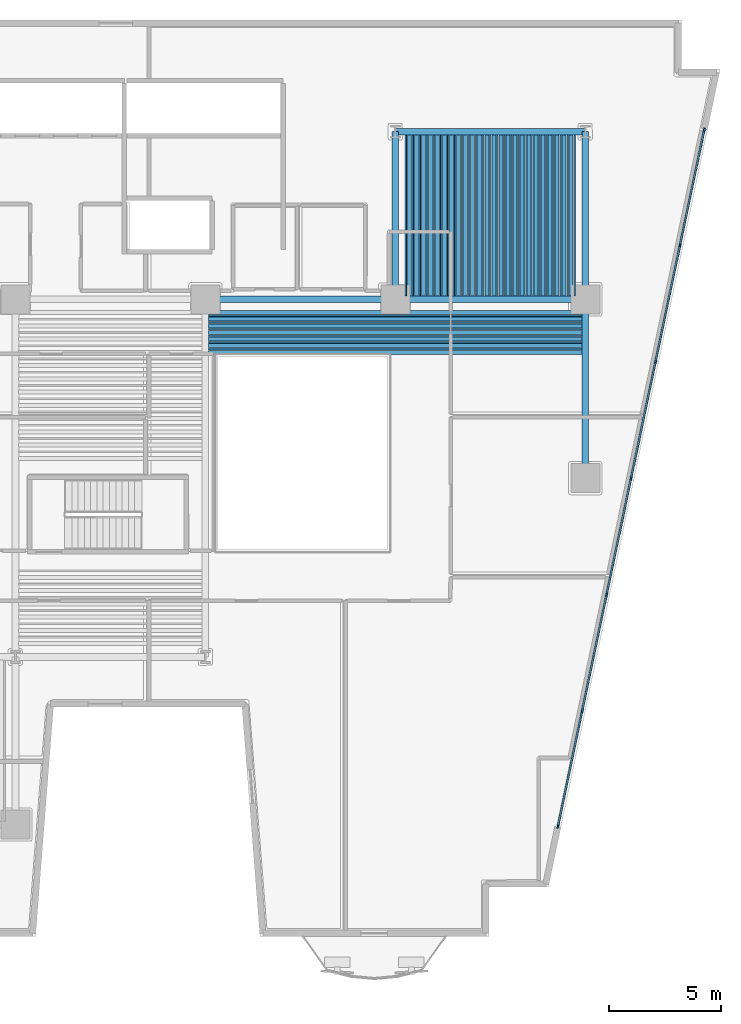
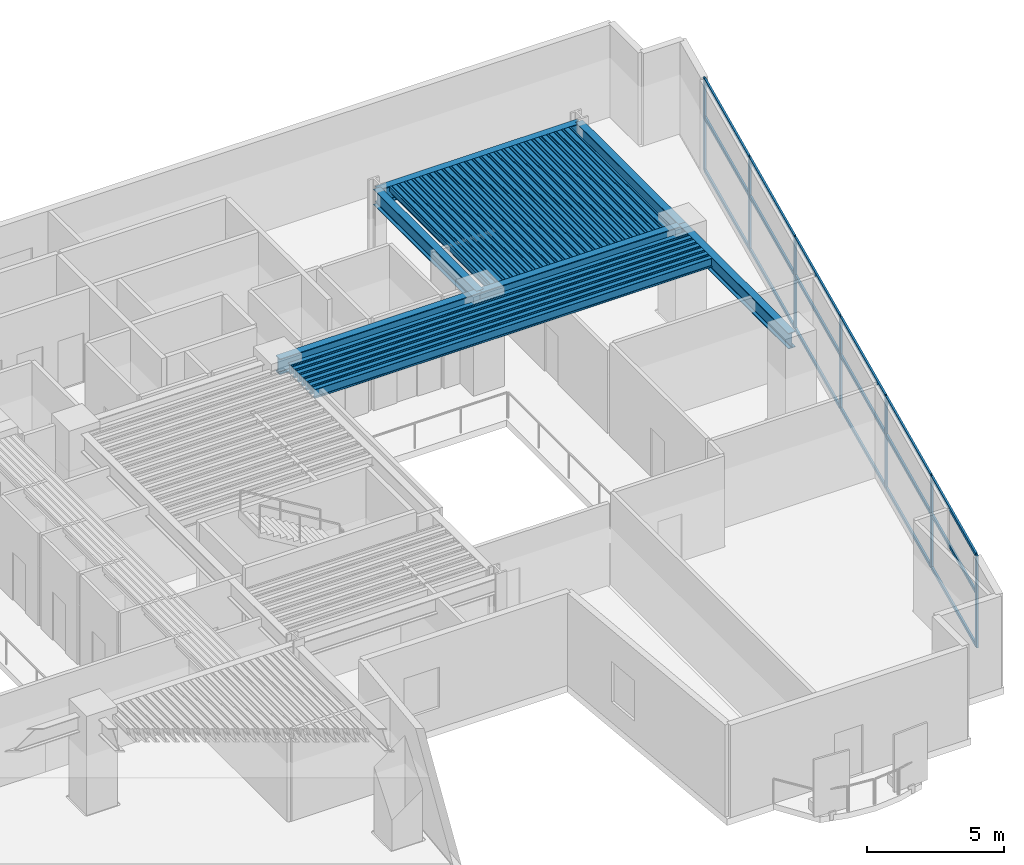
# One storey, part 2 of 12: 68 beams, 25 members, 1 element without a shape of its own.
"""IFC4 building model written with IfcOpenShell, lengths in metres."""

from ifc_helpers import new_model, si_unit, direction, frame, origin, origin_2d, place, context, subcontext, project, spatial, rectangle, hollow_rectangle, i_section, extrude, material, layer, layer_set, material_profile, profile_set, type_object, element, aggregate, save


model = new_model("IFC4")

# Units and contexts
model_context = context("Model", 3, precision=1e-05, world=origin(), true_north=direction((0.0, 1.0)))
body_context = subcontext(model_context, "Body", "Model", "MODEL_VIEW")
ifc_project = project(units=[si_unit("LENGTHUNIT", "METRE"), si_unit("AREAUNIT", "SQUARE_METRE"), si_unit("VOLUMEUNIT", "CUBIC_METRE"), si_unit("PLANEANGLEUNIT", "RADIAN"), si_unit("MASSUNIT", "GRAM", prefix="KILO")], contexts=[model_context])

# Site, building, storey
site_placement = place(None, origin())
site = spatial("IfcSite", under=ifc_project, at=site_placement, CompositionType="ELEMENT")
building_placement = place(site_placement, origin())
building = spatial("IfcBuilding", under=site, at=building_placement, Name="Caeloran Harvest Quay", CompositionType="ELEMENT")
storey_placement = place(building_placement, frame((0.0, 0.0, 57.800048828125)))
storey = spatial("IfcBuildingStorey", under=building, at=storey_placement, Name="L13", CompositionType="ELEMENT", Elevation=57.800048828125)

# Beams
ifc_material_1 = material(Name="Steel S355J2", Category="steel")
ifc_material_profile_1 = material_profile(ifc_material_1, i_section(OverallWidth=0.300048828125, OverallDepth=0.699951171875, WebThickness=0.01708984375, FlangeThickness=0.031982421875, FilletRadius=0.027099609375, at=origin_2d()), Name="HE 700 B")
ifc_profile_set_1 = profile_set([ifc_material_profile_1], Name="Steel S355J2")
beam_type_1 = type_object("IfcBeamType", Name="BM-PG-2-HE_700_B", PredefinedType="BEAM", material=ifc_profile_set_1)
for number, where, z_axis, x_axis, name in (
    (1, (34.0, 31.0, 3.75), (1.0, 0.0, 0.0), (0.0, 1.0, 0.0), "L13 Primary East-West Girder Y=31.0"),
    (2, (42.5, 31.0, 3.75), (1.0, 0.0, 0.0), (0.0, 1.0, 0.0), "L13 Primary East-West Girder Y=31.0"),
    (3, (42.5, 38.5, 3.75), (1.0, 0.0, 0.0), (0.0, 1.0, 0.0), "L13 Primary East-West Girder Y=38.5"),
):
    element("IfcBeam", number, at=place(storey_placement, frame(where, z_axis=z_axis, x_axis=x_axis)), inside=storey, type_object=beam_type_1, Name=name, PredefinedType="BEAM", context=body_context, shape_type="SweptSolid", body=[
        extrude(i_section(OverallWidth=0.300048828125, OverallDepth=0.699951171875, WebThickness=0.01708984375, FlangeThickness=0.031982421875, FilletRadius=0.027099609375, at=origin_2d()), origin(), (0.0, 0.0, 1.0), 8.5),
    ])
beam_1_placement = place(storey_placement, frame((42.5, 31.0, 3.75), z_axis=(0.0, 1.0, 0.0), x_axis=(-1.0, 0.0, 0.0)))
element("IfcBeam", 4, at=beam_1_placement, inside=storey, type_object=beam_type_1, Name="L13 Primary North-South Girder X=42.5", PredefinedType="BEAM", context=body_context, shape_type="SweptSolid", body=[
    extrude(i_section(OverallWidth=0.300048828125, OverallDepth=0.699951171875, WebThickness=0.01708984375, FlangeThickness=0.031982421875, FilletRadius=0.027099609375, at=origin_2d()), origin(), (0.0, 0.0, 1.0), 7.5),
])
beam_2_placement = place(storey_placement, frame((51.0, 23.0, 3.75), z_axis=(0.0, 1.0, 0.0), x_axis=(-1.0, 0.0, 0.0)))
element("IfcBeam", 5, at=beam_2_placement, inside=storey, type_object=beam_type_1, Name="L13 Primary North-South Girder X=51.0", PredefinedType="BEAM", context=body_context, shape_type="SweptSolid", body=[
    extrude(i_section(OverallWidth=0.300048828125, OverallDepth=0.699951171875, WebThickness=0.01708984375, FlangeThickness=0.031982421875, FilletRadius=0.027099609375, at=origin_2d()), origin(), (0.0, 0.0, 1.0), 8.0),
])
beam_3_placement = place(storey_placement, frame((51.0, 31.0, 3.75), z_axis=(0.0, 1.0, 0.0), x_axis=(-1.0, 0.0, 0.0)))
element("IfcBeam", 6, at=beam_3_placement, inside=storey, type_object=beam_type_1, Name="L13 Primary North-South Girder X=51.0", PredefinedType="BEAM", context=body_context, shape_type="SweptSolid", body=[
    extrude(i_section(OverallWidth=0.300048828125, OverallDepth=0.699951171875, WebThickness=0.01708984375, FlangeThickness=0.031982421875, FilletRadius=0.027099609375, at=origin_2d()), origin(), (0.0, 0.0, 1.0), 7.5),
])
ifc_material_profile_2 = material_profile(ifc_material_1, i_section(OverallWidth=0.179931640625, OverallDepth=0.39990234375, WebThickness=0.008544921875, FlangeThickness=0.013427734375, FilletRadius=0.02099609375, at=origin_2d()), Name="IPE 400")
ifc_profile_set_2 = profile_set([ifc_material_profile_2], Name="Steel S355J2")
beam_type_2 = type_object("IfcBeamType", Name="BM-SB-4-IPE_400", PredefinedType="JOIST", material=ifc_profile_set_2)
for number, where, z_axis, x_axis, name in (
    (7, (43.129638671875, 31.14501953125, 3.89990234375), (0.0, 1.0, 0.0), (-1.0, 0.0, 0.0), "L13 Secondary Composite Joist"),
    (8, (43.4443359375, 31.14501953125, 3.89990234375), (0.0, 1.0, 0.0), (-1.0, 0.0, 0.0), "L13 Secondary Composite Joist"),
    (9, (43.75927734375, 31.14501953125, 3.89990234375), (0.0, 1.0, 0.0), (-1.0, 0.0, 0.0), "L13 Secondary Composite Joist"),
    (10, (44.07421875, 31.14501953125, 3.89990234375), (0.0, 1.0, 0.0), (-1.0, 0.0, 0.0), "L13 Secondary Composite Joist"),
    (11, (44.388916015625, 31.14501953125, 3.89990234375), (0.0, 1.0, 0.0), (-1.0, 0.0, 0.0), "L13 Secondary Composite Joist"),
    (12, (44.70361328125, 31.14501953125, 3.89990234375), (0.0, 1.0, 0.0), (-1.0, 0.0, 0.0), "L13 Secondary Composite Joist"),
    (13, (45.0185546875, 31.14501953125, 3.89990234375), (0.0, 1.0, 0.0), (-1.0, 0.0, 0.0), "L13 Secondary Composite Joist"),
    (14, (45.333251953125, 31.14501953125, 3.89990234375), (0.0, 1.0, 0.0), (-1.0, 0.0, 0.0), "L13 Secondary Composite Joist"),
    (15, (45.648193359375, 31.14501953125, 3.89990234375), (0.0, 1.0, 0.0), (-1.0, 0.0, 0.0), "L13 Secondary Composite Joist"),
    (16, (45.962890625, 31.14501953125, 3.89990234375), (0.0, 1.0, 0.0), (-1.0, 0.0, 0.0), "L13 Secondary Composite Joist"),
    (17, (46.27783203125, 31.14501953125, 3.89990234375), (0.0, 1.0, 0.0), (-1.0, 0.0, 0.0), "L13 Secondary Composite Joist"),
    (18, (46.592529296875, 31.14501953125, 3.89990234375), (0.0, 1.0, 0.0), (-1.0, 0.0, 0.0), "L13 Secondary Composite Joist"),
    (19, (46.907470703125, 31.14501953125, 3.89990234375), (0.0, 1.0, 0.0), (-1.0, 0.0, 0.0), "L13 Secondary Composite Joist"),
    (20, (47.22216796875, 31.14501953125, 3.89990234375), (0.0, 1.0, 0.0), (-1.0, 0.0, 0.0), "L13 Secondary Composite Joist"),
    (21, (47.537109375, 31.14501953125, 3.89990234375), (0.0, 1.0, 0.0), (-1.0, 0.0, 0.0), "L13 Secondary Composite Joist"),
    (22, (47.851806640625, 31.14501953125, 3.89990234375), (0.0, 1.0, 0.0), (-1.0, 0.0, 0.0), "L13 Secondary Composite Joist"),
    (23, (48.166748046875, 31.14501953125, 3.89990234375), (0.0, 1.0, 0.0), (-1.0, 0.0, 0.0), "L13 Secondary Composite Joist"),
    (24, (48.4814453125, 31.14501953125, 3.89990234375), (0.0, 1.0, 0.0), (-1.0, 0.0, 0.0), "L13 Secondary Composite Joist"),
    (25, (48.79638671875, 31.14501953125, 3.89990234375), (0.0, 1.0, 0.0), (-1.0, 0.0, 0.0), "L13 Secondary Composite Joist"),
    (26, (49.111083984375, 31.14501953125, 3.89990234375), (0.0, 1.0, 0.0), (-1.0, 0.0, 0.0), "L13 Secondary Composite Joist"),
    (27, (49.42578125, 31.14501953125, 3.89990234375), (0.0, 1.0, 0.0), (-1.0, 0.0, 0.0), "L13 Secondary Composite Joist"),
    (28, (49.74072265625, 31.14501953125, 3.89990234375), (0.0, 1.0, 0.0), (-1.0, 0.0, 0.0), "L13 Secondary Composite Joist"),
    (29, (50.0556640625, 31.14501953125, 3.89990234375), (0.0, 1.0, 0.0), (-1.0, 0.0, 0.0), "L13 Secondary Composite Joist"),
    (30, (50.370361328125, 31.14501953125, 3.89990234375), (0.0, 1.0, 0.0), (-1.0, 0.0, 0.0), "L13 Secondary Composite Joist"),
):
    element("IfcBeam", number, at=place(storey_placement, frame(where, z_axis=z_axis, x_axis=x_axis)), inside=storey, type_object=beam_type_2, Name=name, PredefinedType="JOIST", context=body_context, shape_type="SweptSolid", body=[
        extrude(i_section(OverallWidth=0.179931640625, OverallDepth=0.39990234375, WebThickness=0.008544921875, FlangeThickness=0.013427734375, FilletRadius=0.02099609375, at=origin_2d()), origin(), (0.0, 0.0, 1.0), 7.2099609375),
    ])
for number, where, z_axis, x_axis, name in (
    (31, (34.14501953125, 28.629638671875, 3.89990234375), (1.0, 0.0, 0.0), (0.0, 1.0, 0.0), "L13 Secondary East-West Composite Joist"),
    (32, (34.14501953125, 28.92578125, 3.89990234375), (1.0, 0.0, 0.0), (0.0, 1.0, 0.0), "L13 Secondary East-West Composite Joist"),
    (33, (34.14501953125, 29.22216796875, 3.89990234375), (1.0, 0.0, 0.0), (0.0, 1.0, 0.0), "L13 Secondary East-West Composite Joist"),
    (34, (34.14501953125, 29.5185546875, 3.89990234375), (1.0, 0.0, 0.0), (0.0, 1.0, 0.0), "L13 Secondary East-West Composite Joist"),
    (35, (34.14501953125, 29.814697265625, 3.89990234375), (1.0, 0.0, 0.0), (0.0, 1.0, 0.0), "L13 Secondary East-West Composite Joist"),
    (36, (34.14501953125, 30.111083984375, 3.89990234375), (1.0, 0.0, 0.0), (0.0, 1.0, 0.0), "L13 Secondary East-West Composite Joist"),
    (37, (34.14501953125, 30.407470703125, 3.89990234375), (1.0, 0.0, 0.0), (0.0, 1.0, 0.0), "L13 Secondary East-West Composite Joist"),
):
    element("IfcBeam", number, at=place(storey_placement, frame(where, z_axis=z_axis, x_axis=x_axis)), inside=storey, type_object=beam_type_2, Name=name, PredefinedType="JOIST", context=body_context, shape_type="SweptSolid", body=[
        extrude(i_section(OverallWidth=0.179931640625, OverallDepth=0.39990234375, WebThickness=0.008544921875, FlangeThickness=0.013427734375, FilletRadius=0.02099609375, at=origin_2d()), origin(), (0.0, 0.0, 1.0), 16.7099609375),
    ])
ifc_material_profile_3 = material_profile(ifc_material_1, hollow_rectangle(XDim=0.080078125, YDim=0.199951171875, WallThickness=0.006103515625, InnerFilletRadius=0.006103515625, OuterFilletRadius=0.009033203125, at=origin_2d()), Name="RHS 200x80x6")
ifc_profile_set_3 = profile_set([ifc_material_profile_3], Name="Steel S355J2")
beam_type_3 = type_object("IfcBeamType", Name="BM-SB-7-RHS_200x80x6", PredefinedType="JOIST", material=ifc_profile_set_3)
for number, where, z_axis, x_axis, name in (
    (38, (42.97216796875, 31.14501953125, 4.0), (0.0, 1.0, 0.0), (-1.0, 0.0, 0.0), "L13 Secondary Composite Joist"),
    (39, (43.287109375, 31.14501953125, 4.0), (0.0, 1.0, 0.0), (-1.0, 0.0, 0.0), "L13 Secondary Composite Joist"),
    (40, (43.601806640625, 31.14501953125, 4.0), (0.0, 1.0, 0.0), (-1.0, 0.0, 0.0), "L13 Secondary Composite Joist"),
    (41, (43.916748046875, 31.14501953125, 4.0), (0.0, 1.0, 0.0), (-1.0, 0.0, 0.0), "L13 Secondary Composite Joist"),
    (42, (44.2314453125, 31.14501953125, 4.0), (0.0, 1.0, 0.0), (-1.0, 0.0, 0.0), "L13 Secondary Composite Joist"),
    (43, (44.54638671875, 31.14501953125, 4.0), (0.0, 1.0, 0.0), (-1.0, 0.0, 0.0), "L13 Secondary Composite Joist"),
    (44, (44.861083984375, 31.14501953125, 4.0), (0.0, 1.0, 0.0), (-1.0, 0.0, 0.0), "L13 Secondary Composite Joist"),
    (45, (45.17578125, 31.14501953125, 4.0), (0.0, 1.0, 0.0), (-1.0, 0.0, 0.0), "L13 Secondary Composite Joist"),
    (46, (45.49072265625, 31.14501953125, 4.0), (0.0, 1.0, 0.0), (-1.0, 0.0, 0.0), "L13 Secondary Composite Joist"),
    (47, (45.8056640625, 31.14501953125, 4.0), (0.0, 1.0, 0.0), (-1.0, 0.0, 0.0), "L13 Secondary Composite Joist"),
    (48, (46.120361328125, 31.14501953125, 4.0), (0.0, 1.0, 0.0), (-1.0, 0.0, 0.0), "L13 Secondary Composite Joist"),
    (49, (46.435302734375, 31.14501953125, 4.0), (0.0, 1.0, 0.0), (-1.0, 0.0, 0.0), "L13 Secondary Composite Joist"),
    (50, (46.75, 31.14501953125, 4.0), (0.0, 1.0, 0.0), (-1.0, 0.0, 0.0), "L13 Secondary Composite Joist"),
    (51, (47.064697265625, 31.14501953125, 4.0), (0.0, 1.0, 0.0), (-1.0, 0.0, 0.0), "L13 Secondary Composite Joist"),
    (52, (47.379638671875, 31.14501953125, 4.0), (0.0, 1.0, 0.0), (-1.0, 0.0, 0.0), "L13 Secondary Composite Joist"),
    (53, (47.6943359375, 31.14501953125, 4.0), (0.0, 1.0, 0.0), (-1.0, 0.0, 0.0), "L13 Secondary Composite Joist"),
    (54, (48.00927734375, 31.14501953125, 4.0), (0.0, 1.0, 0.0), (-1.0, 0.0, 0.0), "L13 Secondary Composite Joist"),
    (55, (48.32421875, 31.14501953125, 4.0), (0.0, 1.0, 0.0), (-1.0, 0.0, 0.0), "L13 Secondary Composite Joist"),
    (56, (48.638916015625, 31.14501953125, 4.0), (0.0, 1.0, 0.0), (-1.0, 0.0, 0.0), "L13 Secondary Composite Joist"),
    (57, (48.95361328125, 31.14501953125, 4.0), (0.0, 1.0, 0.0), (-1.0, 0.0, 0.0), "L13 Secondary Composite Joist"),
    (58, (49.2685546875, 31.14501953125, 4.0), (0.0, 1.0, 0.0), (-1.0, 0.0, 0.0), "L13 Secondary Composite Joist"),
    (59, (49.583251953125, 31.14501953125, 4.0), (0.0, 1.0, 0.0), (-1.0, 0.0, 0.0), "L13 Secondary Composite Joist"),
    (60, (49.898193359375, 31.14501953125, 4.0), (0.0, 1.0, 0.0), (-1.0, 0.0, 0.0), "L13 Secondary Composite Joist"),
    (61, (50.212890625, 31.14501953125, 4.0), (0.0, 1.0, 0.0), (-1.0, 0.0, 0.0), "L13 Secondary Composite Joist"),
    (62, (50.52783203125, 31.14501953125, 4.0), (0.0, 1.0, 0.0), (-1.0, 0.0, 0.0), "L13 Secondary Composite Joist"),
):
    element("IfcBeam", number, at=place(storey_placement, frame(where, z_axis=z_axis, x_axis=x_axis)), inside=storey, type_object=beam_type_3, Name=name, PredefinedType="JOIST", context=body_context, shape_type="SweptSolid", body=[
        extrude(hollow_rectangle(XDim=0.080078125, YDim=0.199951171875, WallThickness=0.006103515625, InnerFilletRadius=0.006103515625, OuterFilletRadius=0.009033203125, at=origin_2d()), origin(), (0.0, 0.0, 1.0), 7.2099609375),
    ])
for number, where, z_axis, x_axis, name in (
    (63, (34.14501953125, 28.77783203125, 4.0), (1.0, 0.0, 0.0), (0.0, 1.0, 0.0), "L13 Secondary East-West Composite Joist"),
    (64, (34.14501953125, 29.07421875, 4.0), (1.0, 0.0, 0.0), (0.0, 1.0, 0.0), "L13 Secondary East-West Composite Joist"),
    (65, (34.14501953125, 29.370361328125, 4.0), (1.0, 0.0, 0.0), (0.0, 1.0, 0.0), "L13 Secondary East-West Composite Joist"),
    (66, (34.14501953125, 29.666748046875, 4.0), (1.0, 0.0, 0.0), (0.0, 1.0, 0.0), "L13 Secondary East-West Composite Joist"),
    (67, (34.14501953125, 29.962890625, 4.0), (1.0, 0.0, 0.0), (0.0, 1.0, 0.0), "L13 Secondary East-West Composite Joist"),
    (68, (34.14501953125, 30.25927734375, 4.0), (1.0, 0.0, 0.0), (0.0, 1.0, 0.0), "L13 Secondary East-West Composite Joist"),
):
    element("IfcBeam", number, at=place(storey_placement, frame(where, z_axis=z_axis, x_axis=x_axis)), inside=storey, type_object=beam_type_3, Name=name, PredefinedType="JOIST", context=body_context, shape_type="SweptSolid", body=[
        extrude(hollow_rectangle(XDim=0.080078125, YDim=0.199951171875, WallThickness=0.006103515625, InnerFilletRadius=0.006103515625, OuterFilletRadius=0.009033203125, at=origin_2d()), origin(), (0.0, 0.0, 1.0), 16.7099609375),
    ])

# Curtain wall, members
ifc_material_2 = material(Name="Aluminium 6063-T6 and Low-E Glazing", Category="aluminium")
ifc_layer = layer(ifc_material_2, 0.199951171875, Name="Aluminium 6063-T6 and Low-E Glazing")
ifc_layer_set = layer_set([ifc_layer], Name="Aluminium 6063-T6 and Low-E Glazing")
curtain_wall_type = type_object("IfcCurtainWallType", Name="CW-SYS-CW-2", PredefinedType="USERDEFINED", material=ifc_layer_set)
curtain_wall_placement = place(storey_placement, origin())
curtain_wall = element("IfcCurtainWall", 69, at=curtain_wall_placement, inside=storey, type_object=curtain_wall_type, Name="L13 Unitised Curtain Wall CW-2 Run 9", ObjectType="CURTAIN_WALL", PredefinedType="USERDEFINED")
ifc_material_3 = material(Name="Aluminium 6063-T6", Category="aluminium")
ifc_material_profile_4 = material_profile(ifc_material_3, rectangle(XDim=0.080078125, YDim=0.179931640625, at=origin_2d()), Name="CW-MULLION-180")
ifc_profile_set_4 = profile_set([ifc_material_profile_4], Name="Aluminium 6063-T6")
member_type_1 = type_object("IfcMemberType", Name="CW-MULLION-180", PredefinedType="MULLION", material=ifc_profile_set_4)
member_1_placement = place(storey_placement, frame((56.322509765625, 38.576416015625, 0.0), z_axis=(0.0, 0.0, 1.0), x_axis=(0.978639691881, -0.205582960081, 0.0)))
member_1 = element("IfcMember", 70, at=member_1_placement, type_object=member_type_1, Name="CW-2 mullion 1", PredefinedType="MULLION", context=body_context, shape_type="SweptSolid", body=[
    extrude(rectangle(XDim=0.080078125, YDim=0.179931640625, at=origin_2d()), origin(), (0.0, 0.0, 1.0), 4.099853515625),
])
member_2_placement = place(storey_placement, frame((55.2373046875, 33.410400390625, 0.0), z_axis=(0.0, 0.0, 1.0), x_axis=(0.978639691881, -0.205582960081, 0.0)))
member_2 = element("IfcMember", 71, at=member_2_placement, type_object=member_type_1, Name="CW-2 mullion 2", PredefinedType="MULLION", context=body_context, shape_type="SweptSolid", body=[
    extrude(rectangle(XDim=0.080078125, YDim=0.179931640625, at=origin_2d()), origin(), (0.0, 0.0, 1.0), 4.099853515625),
])
member_3_placement = place(storey_placement, frame((54.143798828125, 28.205078125, 0.0), z_axis=(0.0, 0.0, 1.0), x_axis=(0.978639691881, -0.205582960081, 0.0)))
member_3 = element("IfcMember", 72, at=member_3_placement, type_object=member_type_1, Name="CW-2 mullion 3", PredefinedType="MULLION", context=body_context, shape_type="SweptSolid", body=[
    extrude(rectangle(XDim=0.080078125, YDim=0.179931640625, at=origin_2d()), origin(), (0.0, 0.0, 1.0), 4.099853515625),
])
member_4_placement = place(storey_placement, frame((53.050537109375, 23.0, 0.0), z_axis=(0.0, 0.0, 1.0), x_axis=(0.978639691881, -0.205582960081, 0.0)))
member_4 = element("IfcMember", 73, at=member_4_placement, type_object=member_type_1, Name="CW-2 mullion 4", PredefinedType="MULLION", context=body_context, shape_type="SweptSolid", body=[
    extrude(rectangle(XDim=0.080078125, YDim=0.179931640625, at=origin_2d()), origin(), (0.0, 0.0, 1.0), 4.099853515625),
])
member_5_placement = place(storey_placement, frame((51.95703125, 17.794921875, 0.0), z_axis=(0.0, 0.0, 1.0), x_axis=(0.978639691881, -0.205582960081, 0.0)))
member_5 = element("IfcMember", 74, at=member_5_placement, type_object=member_type_1, Name="CW-2 mullion 5", PredefinedType="MULLION", context=body_context, shape_type="SweptSolid", body=[
    extrude(rectangle(XDim=0.080078125, YDim=0.179931640625, at=origin_2d()), origin(), (0.0, 0.0, 1.0), 4.099853515625),
])
member_6_placement = place(storey_placement, frame((50.863525390625, 12.589599609375, 0.0), z_axis=(0.0, 0.0, 1.0), x_axis=(0.978639691881, -0.205582960081, 0.0)))
member_6 = element("IfcMember", 75, at=member_6_placement, type_object=member_type_1, Name="CW-2 mullion 6", PredefinedType="MULLION", context=body_context, shape_type="SweptSolid", body=[
    extrude(rectangle(XDim=0.080078125, YDim=0.179931640625, at=origin_2d()), origin(), (0.0, 0.0, 1.0), 4.099853515625),
])
member_7_placement = place(storey_placement, frame((49.7783203125, 7.423583984375, 0.0), z_axis=(0.0, 0.0, 1.0), x_axis=(0.978639691881, -0.205582960081, 0.0)))
member_7 = element("IfcMember", 76, at=member_7_placement, type_object=member_type_1, Name="CW-2 mullion 7", PredefinedType="MULLION", context=body_context, shape_type="SweptSolid", body=[
    extrude(rectangle(XDim=0.080078125, YDim=0.179931640625, at=origin_2d()), origin(), (0.0, 0.0, 1.0), 4.099853515625),
])
ifc_material_profile_5 = material_profile(ifc_material_3, rectangle(XDim=0.080078125, YDim=0.14990234375, at=origin_2d()), Name="CW-TRANSOM-150")
ifc_profile_set_5 = profile_set([ifc_material_profile_5], Name="Aluminium 6063-T6")
member_type_2 = type_object("IfcMemberType", Name="CW-TRANSOM-150", PredefinedType="USERDEFINED", material=ifc_profile_set_5)
member_8_placement = place(storey_placement, frame((56.314453125, 38.537109375, 0.0400390625), z_axis=(-0.205598644178, -0.978636396989, 0.0), x_axis=(0.978636396989, -0.205598644178, 0.0)))
member_8 = element("IfcMember", 77, at=member_8_placement, type_object=member_type_2, Name="CW-2 transom 1.1", ObjectType="TRANSOM", PredefinedType="USERDEFINED", context=body_context, shape_type="SweptSolid", body=[
    extrude(rectangle(XDim=0.080078125, YDim=0.14990234375, at=origin_2d()), origin(), (0.0, 0.0, 1.0), 5.19873046875),
])
member_9_placement = place(storey_placement, frame((56.314453125, 38.537109375, 2.39990234375), z_axis=(-0.205598644178, -0.978636396989, 0.0), x_axis=(0.978636396989, -0.205598644178, 0.0)))
member_9 = element("IfcMember", 78, at=member_9_placement, type_object=member_type_2, Name="CW-2 transom 1.2", ObjectType="TRANSOM", PredefinedType="USERDEFINED", context=body_context, shape_type="SweptSolid", body=[
    extrude(rectangle(XDim=0.080078125, YDim=0.14990234375, at=origin_2d()), origin(), (0.0, 0.0, 1.0), 5.19873046875),
])
member_10_placement = place(storey_placement, frame((56.314453125, 38.537109375, 4.06005859375), z_axis=(-0.205598644178, -0.978636396989, 0.0), x_axis=(0.978636396989, -0.205598644178, 0.0)))
member_10 = element("IfcMember", 79, at=member_10_placement, type_object=member_type_2, Name="CW-2 transom 1.3", ObjectType="TRANSOM", PredefinedType="USERDEFINED", context=body_context, shape_type="SweptSolid", body=[
    extrude(rectangle(XDim=0.080078125, YDim=0.14990234375, at=origin_2d()), origin(), (0.0, 0.0, 1.0), 5.19873046875),
])
member_11_placement = place(storey_placement, frame((55.229248046875, 33.37109375, 0.0400390625), z_axis=(-0.205615877389, -0.97863277636, 0.0), x_axis=(0.97863277636, -0.205615877389, 0.0)))
member_11 = element("IfcMember", 80, at=member_11_placement, type_object=member_type_2, Name="CW-2 transom 2.1", ObjectType="TRANSOM", PredefinedType="USERDEFINED", context=body_context, shape_type="SweptSolid", body=[
    extrude(rectangle(XDim=0.080078125, YDim=0.14990234375, at=origin_2d()), origin(), (0.0, 0.0, 1.0), 5.238525390625),
])
member_12_placement = place(storey_placement, frame((55.229248046875, 33.37109375, 2.39990234375), z_axis=(-0.205615877389, -0.97863277636, 0.0), x_axis=(0.97863277636, -0.205615877389, 0.0)))
member_12 = element("IfcMember", 81, at=member_12_placement, type_object=member_type_2, Name="CW-2 transom 2.2", ObjectType="TRANSOM", PredefinedType="USERDEFINED", context=body_context, shape_type="SweptSolid", body=[
    extrude(rectangle(XDim=0.080078125, YDim=0.14990234375, at=origin_2d()), origin(), (0.0, 0.0, 1.0), 5.238525390625),
])
member_13_placement = place(storey_placement, frame((55.229248046875, 33.37109375, 4.06005859375), z_axis=(-0.205615877389, -0.97863277636, 0.0), x_axis=(0.97863277636, -0.205615877389, 0.0)))
member_13 = element("IfcMember", 82, at=member_13_placement, type_object=member_type_2, Name="CW-2 transom 2.3", ObjectType="TRANSOM", PredefinedType="USERDEFINED", context=body_context, shape_type="SweptSolid", body=[
    extrude(rectangle(XDim=0.080078125, YDim=0.14990234375, at=origin_2d()), origin(), (0.0, 0.0, 1.0), 5.238525390625),
])
member_14_placement = place(storey_placement, frame((54.1357421875, 28.166015625, 0.0400390625), z_axis=(-0.205606500081, -0.978634746534, 0.0), x_axis=(0.978634746534, -0.205606500081, 0.0)))
member_14 = element("IfcMember", 83, at=member_14_placement, type_object=member_type_2, Name="CW-2 transom 3.1", ObjectType="TRANSOM", PredefinedType="USERDEFINED", context=body_context, shape_type="SweptSolid", body=[
    extrude(rectangle(XDim=0.080078125, YDim=0.14990234375, at=origin_2d()), origin(), (0.0, 0.0, 1.0), 5.23876953125),
])
member_15_placement = place(storey_placement, frame((54.1357421875, 28.166015625, 2.39990234375), z_axis=(-0.205606500081, -0.978634746534, 0.0), x_axis=(0.978634746534, -0.205606500081, 0.0)))
member_15 = element("IfcMember", 84, at=member_15_placement, type_object=member_type_2, Name="CW-2 transom 3.2", ObjectType="TRANSOM", PredefinedType="USERDEFINED", context=body_context, shape_type="SweptSolid", body=[
    extrude(rectangle(XDim=0.080078125, YDim=0.14990234375, at=origin_2d()), origin(), (0.0, 0.0, 1.0), 5.23876953125),
])
member_16_placement = place(storey_placement, frame((54.1357421875, 28.166015625, 4.06005859375), z_axis=(-0.205606500081, -0.978634746534, 0.0), x_axis=(0.978634746534, -0.205606500081, 0.0)))
member_16 = element("IfcMember", 85, at=member_16_placement, type_object=member_type_2, Name="CW-2 transom 3.3", ObjectType="TRANSOM", PredefinedType="USERDEFINED", context=body_context, shape_type="SweptSolid", body=[
    extrude(rectangle(XDim=0.080078125, YDim=0.14990234375, at=origin_2d()), origin(), (0.0, 0.0, 1.0), 5.23876953125),
])
member_17_placement = place(storey_placement, frame((53.042236328125, 22.9609375, 0.0400390625), z_axis=(-0.205561867825, -0.978644122496, 0.0), x_axis=(0.978644122496, -0.205561867825, 0.0)))
member_17 = element("IfcMember", 86, at=member_17_placement, type_object=member_type_2, Name="CW-2 transom 4.1", ObjectType="TRANSOM", PredefinedType="USERDEFINED", context=body_context, shape_type="SweptSolid", body=[
    extrude(rectangle(XDim=0.080078125, YDim=0.14990234375, at=origin_2d()), origin(), (0.0, 0.0, 1.0), 5.23876953125),
])
member_18_placement = place(storey_placement, frame((53.042236328125, 22.9609375, 2.39990234375), z_axis=(-0.205561867825, -0.978644122496, 0.0), x_axis=(0.978644122496, -0.205561867825, 0.0)))
member_18 = element("IfcMember", 87, at=member_18_placement, type_object=member_type_2, Name="CW-2 transom 4.2", ObjectType="TRANSOM", PredefinedType="USERDEFINED", context=body_context, shape_type="SweptSolid", body=[
    extrude(rectangle(XDim=0.080078125, YDim=0.14990234375, at=origin_2d()), origin(), (0.0, 0.0, 1.0), 5.23876953125),
])
member_19_placement = place(storey_placement, frame((53.042236328125, 22.9609375, 4.06005859375), z_axis=(-0.205561867825, -0.978644122496, 0.0), x_axis=(0.978644122496, -0.205561867825, 0.0)))
member_19 = element("IfcMember", 88, at=member_19_placement, type_object=member_type_2, Name="CW-2 transom 4.3", ObjectType="TRANSOM", PredefinedType="USERDEFINED", context=body_context, shape_type="SweptSolid", body=[
    extrude(rectangle(XDim=0.080078125, YDim=0.14990234375, at=origin_2d()), origin(), (0.0, 0.0, 1.0), 5.23876953125),
])
member_20_placement = place(storey_placement, frame((51.94873046875, 17.755615234375, 0.0400390625), z_axis=(-0.205571243277, -0.978642153158, 0.0), x_axis=(0.978642153158, -0.205571243277, 0.0)))
member_20 = element("IfcMember", 89, at=member_20_placement, type_object=member_type_2, Name="CW-2 transom 5.1", ObjectType="TRANSOM", PredefinedType="USERDEFINED", context=body_context, shape_type="SweptSolid", body=[
    extrude(rectangle(XDim=0.080078125, YDim=0.14990234375, at=origin_2d()), origin(), (0.0, 0.0, 1.0), 5.238525390625),
])
member_21_placement = place(storey_placement, frame((51.94873046875, 17.755615234375, 2.39990234375), z_axis=(-0.205571243277, -0.978642153158, 0.0), x_axis=(0.978642153158, -0.205571243277, 0.0)))
member_21 = element("IfcMember", 90, at=member_21_placement, type_object=member_type_2, Name="CW-2 transom 5.2", ObjectType="TRANSOM", PredefinedType="USERDEFINED", context=body_context, shape_type="SweptSolid", body=[
    extrude(rectangle(XDim=0.080078125, YDim=0.14990234375, at=origin_2d()), origin(), (0.0, 0.0, 1.0), 5.238525390625),
])
member_22_placement = place(storey_placement, frame((51.94873046875, 17.755615234375, 4.06005859375), z_axis=(-0.205571243277, -0.978642153158, 0.0), x_axis=(0.978642153158, -0.205571243277, 0.0)))
member_22 = element("IfcMember", 91, at=member_22_placement, type_object=member_type_2, Name="CW-2 transom 5.3", ObjectType="TRANSOM", PredefinedType="USERDEFINED", context=body_context, shape_type="SweptSolid", body=[
    extrude(rectangle(XDim=0.080078125, YDim=0.14990234375, at=origin_2d()), origin(), (0.0, 0.0, 1.0), 5.238525390625),
])
member_23_placement = place(storey_placement, frame((50.855224609375, 12.550537109375, 0.0400390625), z_axis=(-0.205553666865, -0.978645845052, 0.0), x_axis=(0.978645845052, -0.205553666865, 0.0)))
member_23 = element("IfcMember", 92, at=member_23_placement, type_object=member_type_2, Name="CW-2 transom 6.1", ObjectType="TRANSOM", PredefinedType="USERDEFINED", context=body_context, shape_type="SweptSolid", body=[
    extrude(rectangle(XDim=0.080078125, YDim=0.14990234375, at=origin_2d()), origin(), (0.0, 0.0, 1.0), 5.19873046875),
])
member_24_placement = place(storey_placement, frame((50.855224609375, 12.550537109375, 2.39990234375), z_axis=(-0.205553666865, -0.978645845052, 0.0), x_axis=(0.978645845052, -0.205553666865, 0.0)))
member_24 = element("IfcMember", 93, at=member_24_placement, type_object=member_type_2, Name="CW-2 transom 6.2", ObjectType="TRANSOM", PredefinedType="USERDEFINED", context=body_context, shape_type="SweptSolid", body=[
    extrude(rectangle(XDim=0.080078125, YDim=0.14990234375, at=origin_2d()), origin(), (0.0, 0.0, 1.0), 5.19873046875),
])
member_25_placement = place(storey_placement, frame((50.855224609375, 12.550537109375, 4.06005859375), z_axis=(-0.205553666865, -0.978645845052, 0.0), x_axis=(0.978645845052, -0.205553666865, 0.0)))
member_25 = element("IfcMember", 94, at=member_25_placement, type_object=member_type_2, Name="CW-2 transom 6.3", ObjectType="TRANSOM", PredefinedType="USERDEFINED", context=body_context, shape_type="SweptSolid", body=[
    extrude(rectangle(XDim=0.080078125, YDim=0.14990234375, at=origin_2d()), origin(), (0.0, 0.0, 1.0), 5.19873046875),
])
aggregate(curtain_wall, [member_1, member_2, member_3, member_4, member_5, member_6, member_7, member_8, member_9, member_10, member_11, member_12, member_13, member_14, member_15, member_16, member_17, member_18, member_19, member_20, member_21, member_22, member_23, member_24, member_25])

save(model, "model.ifc")
